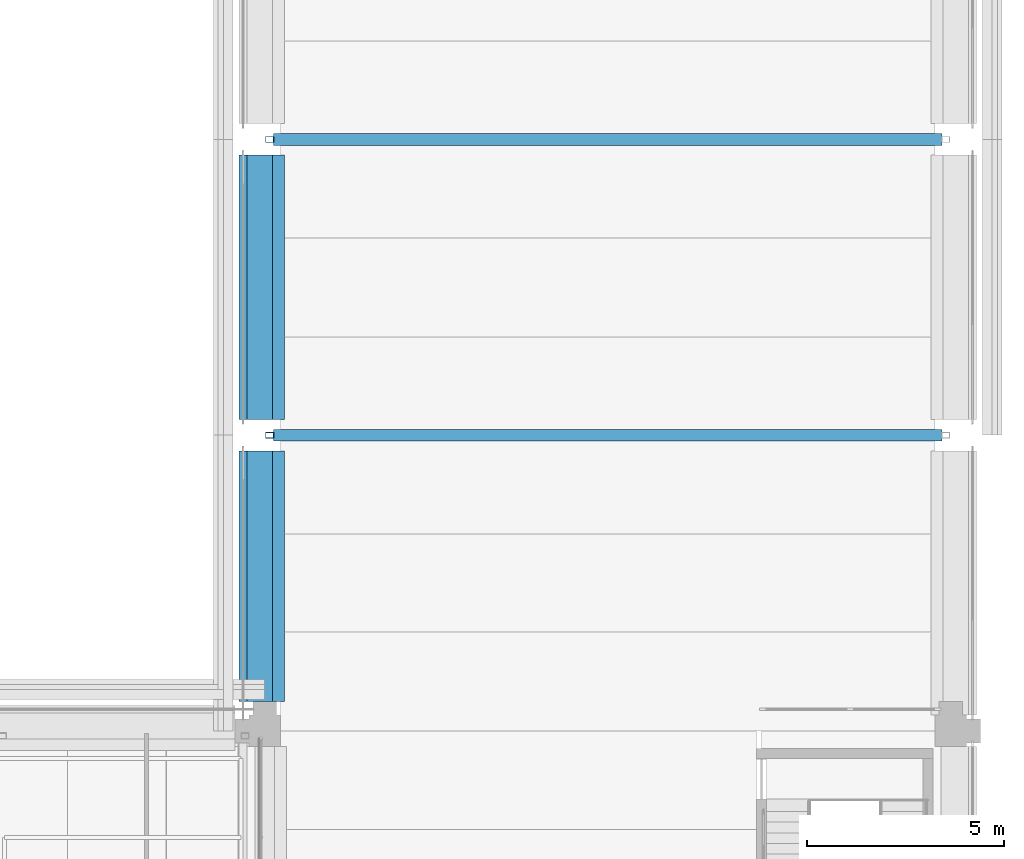
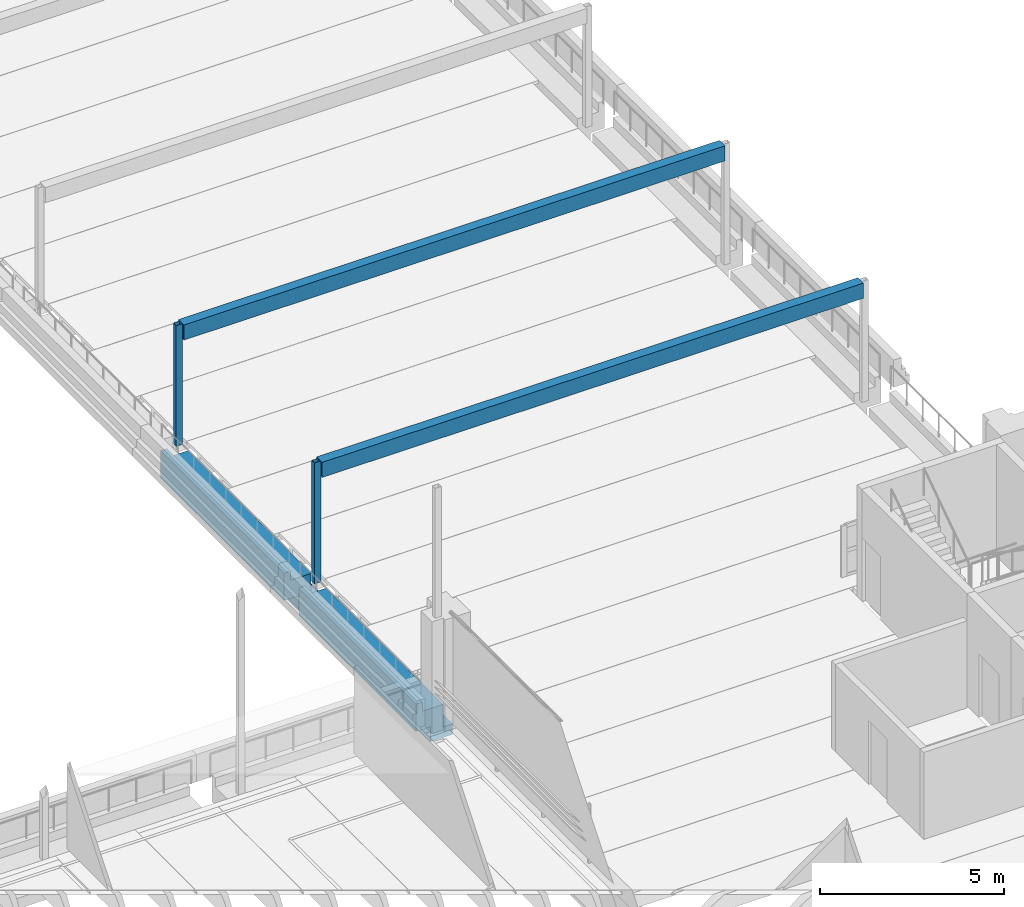
# One storey, part 28 of 62: 4 beams, 2 members.
"""IFC4 building model written with IfcOpenShell, lengths in metres."""

from ifc_helpers import new_model, si_unit, direction, frame, origin, origin_2d, place, context, subcontext, project, spatial, polyline, hollow_rectangle, outline, extrude, material, material_profile, profile_set, type_object, element, save


model = new_model("IFC4")

# Units and contexts
model_context = context("Model", 3, precision=1e-05, world=origin(), true_north=direction((0.0, 1.0)))
body_context = subcontext(model_context, "Body", "Model", "MODEL_VIEW")
ifc_project = project(units=[si_unit("LENGTHUNIT", "METRE"), si_unit("AREAUNIT", "SQUARE_METRE"), si_unit("VOLUMEUNIT", "CUBIC_METRE"), si_unit("PLANEANGLEUNIT", "RADIAN"), si_unit("MASSUNIT", "GRAM", prefix="KILO")], contexts=[model_context])

# Site, building, storey
site_placement = place(None, origin())
site = spatial("IfcSite", under=ifc_project, at=site_placement, CompositionType="ELEMENT")
building_placement = place(site_placement, origin())
building = spatial("IfcBuilding", under=site, at=building_placement, Name="Cour d'Honneur Mobility Palace", CompositionType="ELEMENT")
storey_placement = place(building_placement, frame((0.0, 0.0, 19.300048828125)))
storey = spatial("IfcBuildingStorey", under=building, at=storey_placement, Name="L05", CompositionType="ELEMENT", Elevation=19.300048828125)

# Beams
ifc_material_1 = material(Name="Concrete C45", Category="concrete")
ifc_material_profile_1 = material_profile(ifc_material_1, outline(polyline([(0.199951171875, -1.10009765625), (0.199951171875, -0.60009765625), (0.64990234375, -0.60009765625), (0.64990234375, 0.300048828125), (0.449951171875, 0.300048828125), (0.449951171875, 0.0), (0.199951171875, 0.0), (-0.199951171875, 0.0), (-0.199951171875, -0.75), (-0.5, -0.75), (-0.5, -1.10009765625), (0.199951171875, -1.10009765625)])), Name="Ledger Beam 400x1100 ledge right 350 facade left")
ifc_profile_set_1 = profile_set([ifc_material_profile_1], Name="Concrete C45")
beam_type_1 = type_object("IfcBeamType", Name="Ledger Beam 400x1100 ledge right 350 facade left", PredefinedType="BEAM", material=ifc_profile_set_1)
beam_1_placement = place(storey_placement, frame((144.89990234375, 63.14990234375, 0.0), z_axis=(0.0, 1.0, 0.0), x_axis=(-1.0, 0.0, 0.0)))
element("IfcBeam", 1, at=beam_1_placement, inside=storey, type_object=beam_type_1, Name="Precast beam B4 H-J L05", PredefinedType="BEAM", context=body_context, shape_type="SweptSolid", body=[
    extrude(outline(polyline([(0.199951171875, -1.10009765625), (0.199951171875, -0.60009765625), (0.64990234375, -0.60009765625), (0.64990234375, 0.300048828125), (0.449951171875, 0.300048828125), (0.449951171875, 0.0), (0.199951171875, 0.0), (-0.199951171875, 0.0), (-0.199951171875, -0.75), (-0.5, -0.75), (-0.5, -1.10009765625), (0.199951171875, -1.10009765625)])), origin(), (0.0, 0.0, 1.0), 6.35009765625),
])
beam_2_placement = place(storey_placement, frame((144.89990234375, 70.300048828125, 0.0), z_axis=(0.0, 1.0, 0.0), x_axis=(-1.0, 0.0, 0.0)))
element("IfcBeam", 2, at=beam_2_placement, inside=storey, type_object=beam_type_1, Name="Precast beam B4 J-K L05", PredefinedType="BEAM", context=body_context, shape_type="SweptSolid", body=[
    extrude(outline(polyline([(0.199951171875, -1.10009765625), (0.199951171875, -0.60009765625), (0.64990234375, -0.60009765625), (0.64990234375, 0.300048828125), (0.449951171875, 0.300048828125), (0.449951171875, 0.0), (0.199951171875, 0.0), (-0.199951171875, 0.0), (-0.199951171875, -0.75), (-0.5, -0.75), (-0.5, -1.10009765625), (0.199951171875, -1.10009765625)])), origin(), (0.0, 0.0, 1.0), 6.699951171875),
])

# Members
ifc_material_2 = material(Name="Steel S355", Category="steel")
ifc_material_profile_2 = material_profile(ifc_material_2, hollow_rectangle(XDim=0.14990234375, YDim=0.199951171875, WallThickness=0.008056640625, at=origin_2d()), Name="RHS 200x150x8")
ifc_profile_set_2 = profile_set([ifc_material_profile_2], Name="Steel S355")
member_type = type_object("IfcMemberType", Name="Terrace post RHS 200x150x8", PredefinedType="POST", material=ifc_profile_set_2)
for number, where, z_axis, x_axis, name in (
    (3, (145.02490234375, 69.89990234375, 0.0), (0.0, 0.0, 1.0), (0.0, 1.0, 0.0), "Terrace post TP-S1W"),
    (4, (145.02490234375, 77.39990234375, 0.0), (0.0, 0.0, 1.0), (0.0, 1.0, 0.0), "Terrace post TP-S2W"),
):
    element("IfcMember", number, at=place(storey_placement, frame(where, z_axis=z_axis, x_axis=x_axis)), inside=storey, type_object=member_type, Name=name, PredefinedType="POST", context=body_context, shape_type="SweptSolid", body=[
        extrude(hollow_rectangle(XDim=0.14990234375, YDim=0.199951171875, WallThickness=0.008056640625, at=origin_2d()), origin(), (0.0, 0.0, 1.0), 4.0),
    ])

# Beams
ifc_material_3 = material(Name="Steel S355", Category="steel")
ifc_material_profile_3 = material_profile(ifc_material_3, hollow_rectangle(XDim=0.300048828125, YDim=0.5, WallThickness=0.01611328125, at=origin_2d()), Name="RHS 500x300x16")
ifc_profile_set_3 = profile_set([ifc_material_profile_3], Name="Steel S355")
beam_type_2 = type_object("IfcBeamType", Name="Terrace tie beam RHS 500x300x16", PredefinedType="BEAM", material=ifc_profile_set_3)
for number, where, z_axis, x_axis, name in (
    (5, (145.125, 69.89990234375, 3.75), (1.0, 0.0, 0.0), (0.0, 1.0, 0.0), "Terrace tie beam TT-S1"),
    (6, (145.125, 77.39990234375, 3.75), (1.0, 0.0, 0.0), (0.0, 1.0, 0.0), "Terrace tie beam TT-S2"),
):
    element("IfcBeam", number, at=place(storey_placement, frame(where, z_axis=z_axis, x_axis=x_axis)), inside=storey, type_object=beam_type_2, Name=name, PredefinedType="BEAM", context=body_context, shape_type="SweptSolid", body=[
        extrude(hollow_rectangle(XDim=0.300048828125, YDim=0.5, WallThickness=0.01611328125, at=origin_2d()), origin(), (0.0, 0.0, 1.0), 16.949951171875),
    ])

save(model, "model.ifc")
